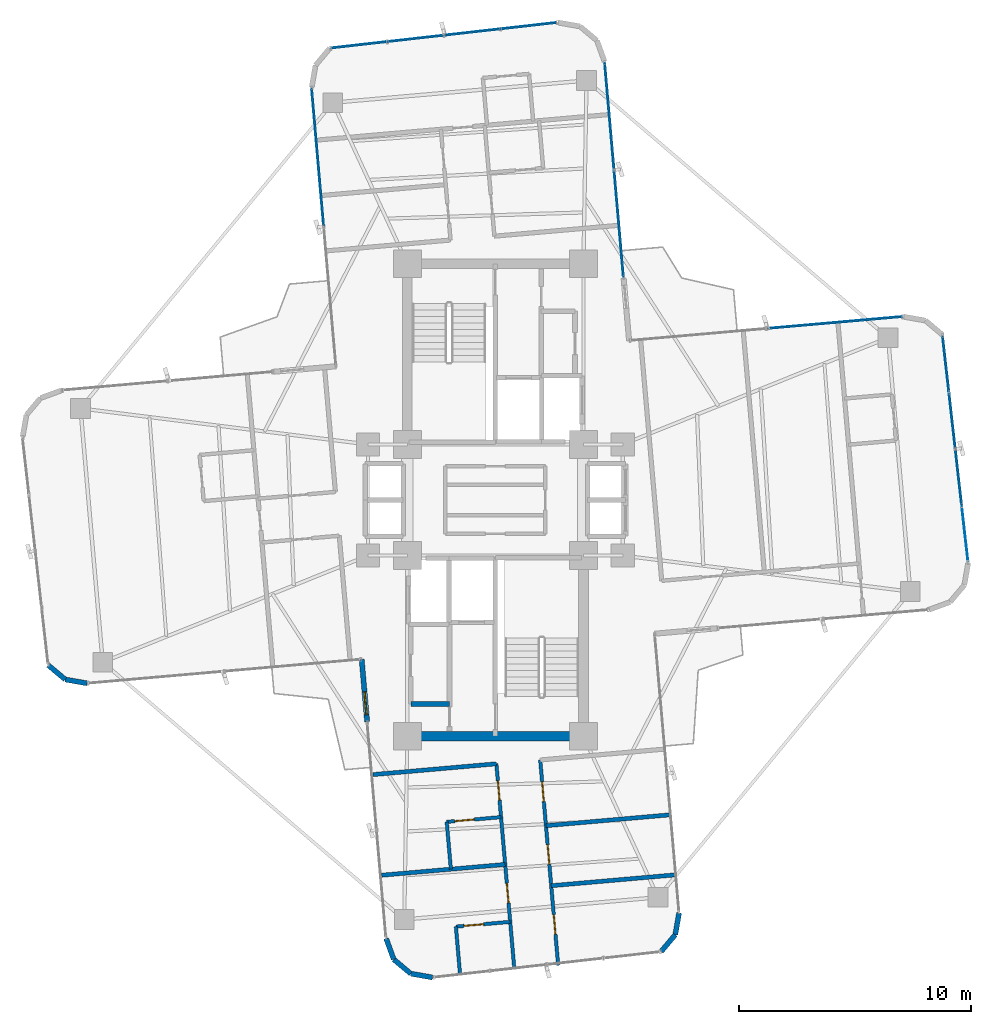
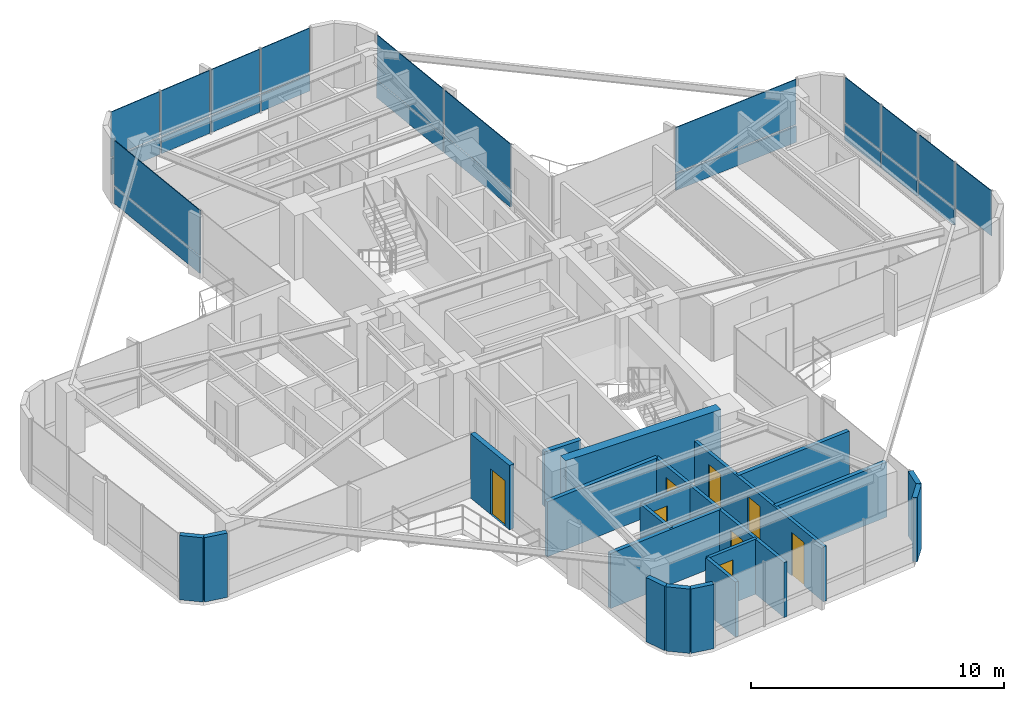
# One storey, part 20 of 24: 23 plates, 20 walls, 8 doors, 8 openings, 5 elements without a shape of their own.
"""IFC4 building model written with IfcOpenShell, lengths in metres."""

from ifc_helpers import new_model, si_unit, direction, frame, frame_2d, origin, origin_2d, place, context, subcontext, project, spatial, rectangle, extrude, source, transform, mapped, material, layer, layer_set, type_object, element, fill, aggregate, save


model = new_model("IFC4")

# Units and contexts
model_context = context("Model", 3, precision=1e-05, world=origin(), true_north=direction((0.0, 1.0)))
body_context = subcontext(model_context, "Body", "Model", "MODEL_VIEW")
ifc_project = project(units=[si_unit("LENGTHUNIT", "METRE"), si_unit("AREAUNIT", "SQUARE_METRE"), si_unit("VOLUMEUNIT", "CUBIC_METRE"), si_unit("PLANEANGLEUNIT", "RADIAN"), si_unit("MASSUNIT", "GRAM", prefix="KILO")], contexts=[model_context])

# Site, building, storey
site_placement = place(None, origin())
site = spatial("IfcSite", under=ifc_project, at=site_placement, CompositionType="ELEMENT")
building_placement = place(site_placement, origin())
building = spatial("IfcBuilding", under=site, at=building_placement, Name="Sahyath Konkavel Grand Hotel", CompositionType="ELEMENT")
storey_placement = place(building_placement, frame((0.0, 0.0, 157.300048828125)))
storey = spatial("IfcBuildingStorey", under=building, at=storey_placement, Name="L43", CompositionType="ELEMENT", Elevation=157.300048828125)

# Curtain wall, plates
ifc_material_1 = material(Name="Anodised Bronze Aluminium & Low-E Glazing", Category="aluminium")
curtain_wall_type = type_object("IfcCurtainWallType", Name="CW-ZONE3", PredefinedType="NOTDEFINED", material=ifc_material_1)
curtain_wall_1_placement = place(storey_placement, origin())
curtain_wall_1 = element("IfcCurtainWall", 1, at=curtain_wall_1_placement, inside=storey, type_object=curtain_wall_type, Name="L43 Unitised Curtain Wall F4", PredefinedType="NOTDEFINED")
ifc_material_2 = material(Name="Warm Buff Sandstone Cladding", Category="masonry")
ifc_layer_1 = layer(ifc_material_2, 0.074951171875)
ifc_layer_set_1 = layer_set([ifc_layer_1], Name="Warm Buff Sandstone Cladding")
plate_type_1 = type_object("IfcPlateType", Name="PNL-SPANDREL-STONE", PredefinedType="SHEET", material=ifc_layer_set_1)
shared_shape_1 = source(origin(), body_context, "Body", "SweptSolid", [
    extrude(rectangle(XDim=2.382080078125, YDim=0.074951171875, at=origin_2d()), origin(), (0.0, 0.0, 1.0), 0.77001953125),
])
plate_1_placement = place(storey_placement, frame((19.99755859375, 0.978515625, 0.0400390625), z_axis=(0.0, 0.0, 1.0), x_axis=(-0.111989252568, 0.993709417943, 0.0)))
plate_1 = element("IfcPlate", 2, at=plate_1_placement, type_object=plate_type_1, Name="L43 Sandstone Relief Spandrel Panel F4-1", PredefinedType="SHEET", context=body_context, shape_type="MappedRepresentation", body=[
    mapped(shared_shape_1, transform((0.0, 0.0, 0.0), scale=1.0)),
])
plate_2_placement = place(storey_placement, frame((19.7216796875, 3.425048828125, 0.0400390625), z_axis=(0.0, 0.0, 1.0), x_axis=(-0.111989252568, 0.993709417943, 0.0)))
plate_2 = element("IfcPlate", 3, at=plate_2_placement, type_object=plate_type_1, Name="L43 Sandstone Relief Spandrel Panel F4-2", PredefinedType="SHEET", context=body_context, shape_type="MappedRepresentation", body=[
    mapped(shared_shape_1, transform((0.0, 0.0, 0.0), scale=1.0)),
])
plate_3_placement = place(storey_placement, frame((19.446044921875, 5.87158203125, 0.0400390625), z_axis=(0.0, 0.0, 1.0), x_axis=(-0.111989252568, 0.993709417943, 0.0)))
plate_3 = element("IfcPlate", 4, at=plate_3_placement, type_object=plate_type_1, Name="L43 Sandstone Relief Spandrel Panel F4-3", PredefinedType="SHEET", context=body_context, shape_type="MappedRepresentation", body=[
    mapped(shared_shape_1, transform((0.0, 0.0, 0.0), scale=1.0)),
])

curtain_wall_2_placement = place(storey_placement, origin())
curtain_wall_2 = element("IfcCurtainWall", 5, at=curtain_wall_2_placement, inside=storey, type_object=curtain_wall_type, Name="L43 Unitised Curtain Wall F12", PredefinedType="NOTDEFINED")
plate_4_placement = place(storey_placement, frame((1.45068359375, 20.47265625, 0.0400390625), z_axis=(0.0, 0.0, 1.0), x_axis=(-0.993707463211, -0.112006596052, 0.0)))
plate_4 = element("IfcPlate", 6, at=plate_4_placement, type_object=plate_type_1, Name="L43 Sandstone Relief Spandrel Panel F12-0", PredefinedType="SHEET", context=body_context, shape_type="MappedRepresentation", body=[
    mapped(shared_shape_1, transform((0.0, 0.0, 0.0), scale=1.0)),
])
plate_5_placement = place(storey_placement, frame((-0.995849609375, 20.197021484375, 0.0400390625), z_axis=(0.0, 0.0, 1.0), x_axis=(-0.993707463211, -0.112006596052, 0.0)))
plate_5 = element("IfcPlate", 7, at=plate_5_placement, type_object=plate_type_1, Name="L43 Sandstone Relief Spandrel Panel F12-1", PredefinedType="SHEET", context=body_context, shape_type="MappedRepresentation", body=[
    mapped(shared_shape_1, transform((0.0, 0.0, 0.0), scale=1.0)),
])
plate_6_placement = place(storey_placement, frame((-3.4423828125, 19.921142578125, 0.0400390625), z_axis=(0.0, 0.0, 1.0), x_axis=(-0.993707463211, -0.112006596052, 0.0)))
plate_6 = element("IfcPlate", 8, at=plate_6_placement, type_object=plate_type_1, Name="L43 Sandstone Relief Spandrel Panel F12-2", PredefinedType="SHEET", context=body_context, shape_type="MappedRepresentation", body=[
    mapped(shared_shape_1, transform((0.0, 0.0, 0.0), scale=1.0)),
])
plate_7_placement = place(storey_placement, frame((-5.888916015625, 19.6455078125, 0.0400390625), z_axis=(0.0, 0.0, 1.0), x_axis=(-0.993707463211, -0.112006596052, 0.0)))
plate_7 = element("IfcPlate", 9, at=plate_7_placement, type_object=plate_type_1, Name="L43 Sandstone Relief Spandrel Panel F12-3", PredefinedType="SHEET", context=body_context, shape_type="MappedRepresentation", body=[
    mapped(shared_shape_1, transform((0.0, 0.0, 0.0), scale=1.0)),
])

# Curtain wall, plate
curtain_wall_3_placement = place(storey_placement, origin())
curtain_wall_3 = element("IfcCurtainWall", 10, at=curtain_wall_3_placement, inside=storey, type_object=curtain_wall_type, Name="L43 Unitised Curtain Wall F7", PredefinedType="NOTDEFINED")
shared_shape_2 = source(origin(), body_context, "Body", "SweptSolid", [
    extrude(rectangle(XDim=5.830078125, YDim=0.074951171875, at=origin_2d()), origin(), (0.0, 0.0, 1.0), 0.77001953125),
])
plate_8_placement = place(storey_placement, frame((14.6435546875, 7.655517578125, 0.0400390625), z_axis=(0.0, 0.0, 1.0), x_axis=(-0.996194698092, -0.087155742748, 0.0)))
plate_8 = element("IfcPlate", 11, at=plate_8_placement, type_object=plate_type_1, Name="L43 Sandstone Relief Spandrel Panel F7-0", PredefinedType="SHEET", context=body_context, shape_type="MappedRepresentation", body=[
    mapped(shared_shape_2, transform((0.0, 0.0, 0.0), scale=1.0)),
])

# Curtain wall, plates
curtain_wall_4_placement = place(storey_placement, origin())
curtain_wall_4 = element("IfcCurtainWall", 12, at=curtain_wall_4_placement, inside=storey, type_object=curtain_wall_type, Name="L43 Unitised Curtain Wall F8", PredefinedType="NOTDEFINED")
shared_shape_3 = source(origin(), body_context, "Body", "SweptSolid", [
    extrude(rectangle(XDim=4.580078125, YDim=0.074951171875, at=origin_2d()), origin(), (0.0, 0.0, 1.0), 0.77001953125),
])
plate_9_placement = place(storey_placement, frame((5.33056640625, 11.929931640625, 0.0400390625), z_axis=(0.0, 0.0, 1.0), x_axis=(-0.087155742748, 0.996194698092, 0.0)))
plate_9 = element("IfcPlate", 13, at=plate_9_placement, type_object=plate_type_1, Name="L43 Sandstone Relief Spandrel Panel F8-0", PredefinedType="SHEET", context=body_context, shape_type="MappedRepresentation", body=[
    mapped(shared_shape_3, transform((0.0, 0.0, 0.0), scale=1.0)),
])
plate_10_placement = place(storey_placement, frame((4.92431640625, 16.572265625, 0.0400390625), z_axis=(0.0, 0.0, 1.0), x_axis=(-0.087155742748, 0.996194698092, 0.0)))
plate_10 = element("IfcPlate", 14, at=plate_10_placement, type_object=plate_type_1, Name="L43 Sandstone Relief Spandrel Panel F8-1", PredefinedType="SHEET", context=body_context, shape_type="MappedRepresentation", body=[
    mapped(shared_shape_3, transform((0.0, 0.0, 0.0), scale=1.0)),
])

# Curtain wall, plate
curtain_wall_5_placement = place(storey_placement, origin())
curtain_wall_5 = element("IfcCurtainWall", 15, at=curtain_wall_5_placement, inside=storey, type_object=curtain_wall_type, Name="L43 Unitised Curtain Wall F15", PredefinedType="NOTDEFINED")
shared_shape_4 = source(origin(), body_context, "Body", "SweptSolid", [
    extrude(rectangle(XDim=5.929931640625, YDim=0.074951171875, at=origin_2d()), origin(), (0.0, 0.0, 1.0), 0.77001953125),
])
plate_11_placement = place(storey_placement, frame((-7.66845703125, 14.79296875, 0.0400390625), z_axis=(0.0, 0.0, 1.0), x_axis=(0.087155742748, -0.996194698092, 0.0)))
plate_11 = element("IfcPlate", 16, at=plate_11_placement, type_object=plate_type_1, Name="L43 Sandstone Relief Spandrel Panel F15-0", PredefinedType="SHEET", context=body_context, shape_type="MappedRepresentation", body=[
    mapped(shared_shape_4, transform((0.0, 0.0, 0.0), scale=1.0)),
])

# Plate
ifc_material_3 = material(Name="Low-E Solar Control Double Glazing", Category="glass")
ifc_layer_2 = layer(ifc_material_3, 0.035888671875)
ifc_layer_set_2 = layer_set([ifc_layer_2], Name="Low-E Solar Control Double Glazing")
plate_type_2 = type_object("IfcPlateType", Name="PNL-VISION-LOWE", PredefinedType="CURTAIN_PANEL", material=ifc_layer_set_2)
shared_shape_5 = source(origin(), body_context, "Body", "SweptSolid", [
    extrude(rectangle(XDim=2.382080078125, YDim=0.035888671875, at=origin_2d()), origin(), (0.0, 0.0, 1.0), 2.179931640625),
])
plate_12_placement = place(storey_placement, frame((20.2734375, -1.468017578125, 0.89013671875), z_axis=(0.0, 0.0, 1.0), x_axis=(-0.111989252568, 0.993709417943, 0.0)))
plate_12 = element("IfcPlate", 17, at=plate_12_placement, type_object=plate_type_2, Name="L43 Low-E Vision Glazing Panel F4-0", PredefinedType="CURTAIN_PANEL", context=body_context, shape_type="MappedRepresentation", body=[
    mapped(shared_shape_5, transform((0.0, 0.0, 0.0), scale=1.0)),
])

plate_13_placement = place(storey_placement, frame((19.99755859375, 0.978515625, 0.89013671875), z_axis=(0.0, 0.0, 1.0), x_axis=(-0.111989252568, 0.993709417943, 0.0)))
plate_13 = element("IfcPlate", 18, at=plate_13_placement, type_object=plate_type_2, Name="L43 Low-E Vision Glazing Panel F4-1", PredefinedType="CURTAIN_PANEL", context=body_context, shape_type="MappedRepresentation", body=[
    mapped(shared_shape_5, transform((0.0, 0.0, 0.0), scale=1.0)),
])

plate_14_placement = place(storey_placement, frame((19.7216796875, 3.425048828125, 0.89013671875), z_axis=(0.0, 0.0, 1.0), x_axis=(-0.111989252568, 0.993709417943, 0.0)))
plate_14 = element("IfcPlate", 19, at=plate_14_placement, type_object=plate_type_2, Name="L43 Low-E Vision Glazing Panel F4-2", PredefinedType="CURTAIN_PANEL", context=body_context, shape_type="MappedRepresentation", body=[
    mapped(shared_shape_5, transform((0.0, 0.0, 0.0), scale=1.0)),
])

plate_15_placement = place(storey_placement, frame((19.446044921875, 5.87158203125, 0.89013671875), z_axis=(0.0, 0.0, 1.0), x_axis=(-0.111989252568, 0.993709417943, 0.0)))
plate_15 = element("IfcPlate", 20, at=plate_15_placement, type_object=plate_type_2, Name="L43 Low-E Vision Glazing Panel F4-3", PredefinedType="CURTAIN_PANEL", context=body_context, shape_type="MappedRepresentation", body=[
    mapped(shared_shape_5, transform((0.0, 0.0, 0.0), scale=1.0)),
])

aggregate(curtain_wall_1, [plate_12, plate_1, plate_13, plate_2, plate_14, plate_3, plate_15])

plate_16_placement = place(storey_placement, frame((1.45068359375, 20.47265625, 0.89013671875), z_axis=(0.0, 0.0, 1.0), x_axis=(-0.993707463211, -0.112006596052, 0.0)))
plate_16 = element("IfcPlate", 21, at=plate_16_placement, type_object=plate_type_2, Name="L43 Low-E Vision Glazing Panel F12-0", PredefinedType="CURTAIN_PANEL", context=body_context, shape_type="MappedRepresentation", body=[
    mapped(shared_shape_5, transform((0.0, 0.0, 0.0), scale=1.0)),
])

plate_17_placement = place(storey_placement, frame((-0.995849609375, 20.197021484375, 0.89013671875), z_axis=(0.0, 0.0, 1.0), x_axis=(-0.993707463211, -0.112006596052, 0.0)))
plate_17 = element("IfcPlate", 22, at=plate_17_placement, type_object=plate_type_2, Name="L43 Low-E Vision Glazing Panel F12-1", PredefinedType="CURTAIN_PANEL", context=body_context, shape_type="MappedRepresentation", body=[
    mapped(shared_shape_5, transform((0.0, 0.0, 0.0), scale=1.0)),
])

plate_18_placement = place(storey_placement, frame((-3.4423828125, 19.921142578125, 0.89013671875), z_axis=(0.0, 0.0, 1.0), x_axis=(-0.993707463211, -0.112006596052, 0.0)))
plate_18 = element("IfcPlate", 23, at=plate_18_placement, type_object=plate_type_2, Name="L43 Low-E Vision Glazing Panel F12-2", PredefinedType="CURTAIN_PANEL", context=body_context, shape_type="MappedRepresentation", body=[
    mapped(shared_shape_5, transform((0.0, 0.0, 0.0), scale=1.0)),
])

plate_19_placement = place(storey_placement, frame((-5.888916015625, 19.6455078125, 0.89013671875), z_axis=(0.0, 0.0, 1.0), x_axis=(-0.993707463211, -0.112006596052, 0.0)))
plate_19 = element("IfcPlate", 24, at=plate_19_placement, type_object=plate_type_2, Name="L43 Low-E Vision Glazing Panel F12-3", PredefinedType="CURTAIN_PANEL", context=body_context, shape_type="MappedRepresentation", body=[
    mapped(shared_shape_5, transform((0.0, 0.0, 0.0), scale=1.0)),
])

aggregate(curtain_wall_2, [plate_4, plate_16, plate_5, plate_17, plate_6, plate_18, plate_7, plate_19])

shared_shape_6 = source(origin(), body_context, "Body", "SweptSolid", [
    extrude(rectangle(XDim=5.830078125, YDim=0.035888671875, at=origin_2d()), origin(), (0.0, 0.0, 1.0), 2.179931640625),
])
plate_20_placement = place(storey_placement, frame((14.6435546875, 7.655517578125, 0.89013671875), z_axis=(0.0, 0.0, 1.0), x_axis=(-0.996194698092, -0.087155742748, 0.0)))
plate_20 = element("IfcPlate", 25, at=plate_20_placement, type_object=plate_type_2, Name="L43 Low-E Vision Glazing Panel F7-0", PredefinedType="CURTAIN_PANEL", context=body_context, shape_type="MappedRepresentation", body=[
    mapped(shared_shape_6, transform((0.0, 0.0, 0.0), scale=1.0)),
])

aggregate(curtain_wall_3, [plate_8, plate_20])

shared_shape_7 = source(origin(), body_context, "Body", "SweptSolid", [
    extrude(rectangle(XDim=4.580078125, YDim=0.035888671875, at=origin_2d()), origin(), (0.0, 0.0, 1.0), 2.179931640625),
])
plate_21_placement = place(storey_placement, frame((5.33056640625, 11.929931640625, 0.89013671875), z_axis=(0.0, 0.0, 1.0), x_axis=(-0.087155742748, 0.996194698092, 0.0)))
plate_21 = element("IfcPlate", 26, at=plate_21_placement, type_object=plate_type_2, Name="L43 Low-E Vision Glazing Panel F8-0", PredefinedType="CURTAIN_PANEL", context=body_context, shape_type="MappedRepresentation", body=[
    mapped(shared_shape_7, transform((0.0, 0.0, 0.0), scale=1.0)),
])

plate_22_placement = place(storey_placement, frame((4.92431640625, 16.572265625, 0.89013671875), z_axis=(0.0, 0.0, 1.0), x_axis=(-0.087155742748, 0.996194698092, 0.0)))
plate_22 = element("IfcPlate", 27, at=plate_22_placement, type_object=plate_type_2, Name="L43 Low-E Vision Glazing Panel F8-1", PredefinedType="CURTAIN_PANEL", context=body_context, shape_type="MappedRepresentation", body=[
    mapped(shared_shape_7, transform((0.0, 0.0, 0.0), scale=1.0)),
])

aggregate(curtain_wall_4, [plate_9, plate_21, plate_10, plate_22])

shared_shape_8 = source(origin(), body_context, "Body", "SweptSolid", [
    extrude(rectangle(XDim=5.929931640625, YDim=0.035888671875, at=origin_2d()), origin(), (0.0, 0.0, 1.0), 2.179931640625),
])
plate_23_placement = place(storey_placement, frame((-7.66845703125, 14.79296875, 0.89013671875), z_axis=(0.0, 0.0, 1.0), x_axis=(0.087155742748, -0.996194698092, 0.0)))
plate_23 = element("IfcPlate", 28, at=plate_23_placement, type_object=plate_type_2, Name="L43 Low-E Vision Glazing Panel F15-0", PredefinedType="CURTAIN_PANEL", context=body_context, shape_type="MappedRepresentation", body=[
    mapped(shared_shape_8, transform((0.0, 0.0, 0.0), scale=1.0)),
])

aggregate(curtain_wall_5, [plate_11, plate_23])

# Walls
ifc_material_4 = material(Name="Concrete C50/60", Category="concrete")
ifc_layer_3 = layer(ifc_material_4, 0.419921875)
ifc_layer_set_3 = layer_set([ifc_layer_3], Name="Concrete C50/60")
wall_type_1 = type_object("IfcWallType", Name="CWALL-420", PredefinedType="SHEAR", material=ifc_layer_set_3)
wall_1_placement = place(storey_placement, frame((-3.550048828125, -10.199951171875, 0.0), z_axis=(0.0, 0.0, 1.0), x_axis=(1.0, 0.0, 0.0)))
element("IfcWall", 29, at=wall_1_placement, inside=storey, type_object=wall_type_1, Name="L43 South Core Shear Wall S", PredefinedType="SHEAR", context=body_context, shape_type="SweptSolid", body=[
    extrude(rectangle(XDim=7.10009765625, YDim=0.419921875, at=frame_2d((3.550048828125, 0.0))), origin(), (0.0, 0.0, 1.0), 3.10986328125),
])
ifc_material_5 = material(Name="Warm Buff Sandstone Insulated Concrete C40/50", Category="masonry")
ifc_layer_4 = layer(ifc_material_5, 0.219970703125)
ifc_layer_set_4 = layer_set([ifc_layer_4], Name="Warm Buff Sandstone Insulated Concrete C40/50")
wall_type_2 = type_object("IfcWallType", Name="WLL-BALC-THRESH", PredefinedType="STANDARD", material=ifc_layer_set_4)
wall_2_placement = place(storey_placement, frame((-19.3037109375, -7.134521484375, 0.0), z_axis=(0.0, 0.0, 1.0), x_axis=(0.766001159887, -0.642839189107, 0.0)))
element("IfcWall", 30, at=wall_2_placement, inside=storey, type_object=wall_type_2, Name="L43 Rounded Corner Sandstone Pier 21", PredefinedType="STANDARD", context=body_context, shape_type="SweptSolid", body=[
    extrude(rectangle(XDim=0.95751953125, YDim=0.219970703125, at=frame_2d((0.478759765625, 0.0))), origin(), (0.0, 0.0, 1.0), 3.10986328125),
])
wall_3_placement = place(storey_placement, frame((-18.5703125, -7.75, 0.0), z_axis=(0.0, 0.0, 1.0), x_axis=(0.984770724397, -0.173858046606, 0.0)))
element("IfcWall", 31, at=wall_3_placement, inside=storey, type_object=wall_type_2, Name="L43 Rounded Corner Sandstone Pier 22", PredefinedType="STANDARD", context=body_context, shape_type="SweptSolid", body=[
    extrude(rectangle(XDim=0.957763671875, YDim=0.219970703125, at=frame_2d((0.47900390625, 0.0))), origin(), (0.0, 0.0, 1.0), 3.10986328125),
])

# Wall, opening, door
wall_4_placement = place(storey_placement, frame((-5.7724609375, -6.87939453125, 0.0), z_axis=(0.0, 0.0, 1.0), x_axis=(0.087168071984, -0.996193619346, 0.0)))
wall_4 = element("IfcWall", 32, at=wall_4_placement, inside=storey, type_object=wall_type_2, Name="L43 Winter-Garden Threshold Wall 24", PredefinedType="STANDARD", context=body_context, shape_type="SweptSolid", body=[
    extrude(rectangle(XDim=2.699951171875, YDim=0.219970703125, at=frame_2d((1.35009765625, 0.0))), origin(), (0.0, 0.0, 1.0), 3.10986328125),
])
opening_1_placement = place(wall_4_placement, frame((1.39990234375, 0.0, 0.0)))
opening_1 = element("IfcOpeningElement", 33, at=opening_1_placement, cuts=wall_4, Name="Opening D-TR1", PredefinedType="OPENING", context=body_context, shape_type="SweptSolid", body=[
    extrude(rectangle(XDim=1.0, YDim=2.199951171875, at=frame_2d((0.5, 1.10009765625))), frame((0.0, 0.1201171875, 0.0), z_axis=(0.0, -1.0, 0.0), x_axis=(1.0, 0.0, 0.0)), (0.0, 0.0, 1.0), 0.239990234375),
])
door_type_1 = type_object("IfcDoorType", Name="DR-TERRACE-1000", OperationType="NOTDEFINED", PredefinedType="DOOR", material=ifc_material_1)
shared_shape_9 = source(origin(), body_context, "Body", "SweptSolid", [
    extrude(rectangle(XDim=1.0, YDim=0.050048828125, at=origin_2d()), origin(), (0.0, 0.0, 1.0), 2.199951171875),
])
door_1_placement = place(opening_1_placement, frame((0.5, 0.0, 0.0)))
door_1 = element("IfcDoor", 34, at=door_1_placement, inside=storey, type_object=door_type_1, Name="L43 Winter-Garden Terrace Door 24", OperationType="SINGLE_SWING_LEFT", OverallHeight=2.199951171875, OverallWidth=1.0, PredefinedType="DOOR", context=body_context, shape_type="MappedRepresentation", body=[
    mapped(shared_shape_9, transform((0.0, 0.0, 0.0), scale=1.0)),
])
fill(opening_1, door_1)

# Walls
wall_5_placement = place(storey_placement, frame((-4.7177734375, -18.93310546875, 0.0), z_axis=(0.0, 0.0, 1.0), x_axis=(0.34188635151, -0.939741306239, 0.0)))
element("IfcWall", 35, at=wall_5_placement, inside=storey, type_object=wall_type_2, Name="L43 Rounded Corner Sandstone Pier 25", PredefinedType="STANDARD", context=body_context, shape_type="SweptSolid", body=[
    extrude(rectangle(XDim=0.95751953125, YDim=0.219970703125, at=frame_2d((0.478759765625, 0.0))), origin(), (0.0, 0.0, 1.0), 3.10986328125),
])
for number, where, z_axis, x_axis, name in (
    (36, (-4.390380859375, -19.8330078125, 0.0), (0.0, 0.0, 1.0), (0.765980978054, -0.642863236823, 0.0), "L43 Rounded Corner Sandstone Pier 26"),
    (37, (-3.65673828125, -20.44873046875, 0.0), (0.0, 0.0, 1.0), (0.984814340885, -0.173610811841, 0.0), "L43 Rounded Corner Sandstone Pier 27"),
):
    element("IfcWall", number, at=place(storey_placement, frame(where, z_axis=z_axis, x_axis=x_axis)), inside=storey, type_object=wall_type_2, Name=name, PredefinedType="STANDARD", context=body_context, shape_type="SweptSolid", body=[
        extrude(rectangle(XDim=0.957763671875, YDim=0.219970703125, at=frame_2d((0.47900390625, 0.0))), origin(), (0.0, 0.0, 1.0), 3.10986328125),
    ])
for number, where, z_axis, x_axis, name in (
    (38, (7.152099609375, -19.5029296875, 0.0), (0.0, 0.0, 1.0), (0.642713642115, 0.766106503196, 0.0), "L43 Rounded Corner Sandstone Pier 29"),
    (39, (7.767578125, -18.769287109375, 0.0), (0.0, 0.0, 1.0), (0.173654409999, 0.984806654064, 0.0), "L43 Rounded Corner Sandstone Pier 30"),
):
    element("IfcWall", number, at=place(storey_placement, frame(where, z_axis=z_axis, x_axis=x_axis)), inside=storey, type_object=wall_type_2, Name=name, PredefinedType="STANDARD", context=body_context, shape_type="SweptSolid", body=[
        extrude(rectangle(XDim=0.95751953125, YDim=0.219970703125, at=frame_2d((0.478759765625, 0.0))), origin(), (0.0, 0.0, 1.0), 3.10986328125),
    ])
ifc_material_6 = material(Name="Concrete C40/50", Category="concrete")
ifc_layer_5 = layer(ifc_material_6, 0.199951171875)
ifc_layer_set_5 = layer_set([ifc_layer_5], Name="Concrete C40/50")
wall_type_3 = type_object("IfcWallType", Name="WLL-CORE-200", PredefinedType="SOLIDWALL", material=ifc_layer_set_5)
wall_6_placement = place(storey_placement, frame((-3.64990234375, -8.81005859375, 0.0), z_axis=(0.0, 0.0, 1.0), x_axis=(1.0, 0.0, 0.0)))
element("IfcWall", 40, at=wall_6_placement, inside=storey, type_object=wall_type_3, Name="L43 Partition SC-REC-S", PredefinedType="SOLIDWALL", context=body_context, shape_type="SweptSolid", body=[
    extrude(rectangle(XDim=1.669921875, YDim=0.199951171875, at=frame_2d((0.8349609375, 0.0))), origin(), (0.0, 0.0, 1.0), 2.659912109375),
])
ifc_material_7 = material(Name="Twin-Stud Acoustic Gypsum Plasterboard Partition")
ifc_layer_6 = layer(ifc_material_7, 0.179931640625)
ifc_layer_set_6 = layer_set([ifc_layer_6], Name="Twin-Stud Acoustic Gypsum Plasterboard Partition")
wall_type_4 = type_object("IfcWallType", Name="WLL-DEMISE-180", PredefinedType="PARTITIONING", material=ifc_layer_set_6)
for number, where, z_axis, x_axis, name in (
    (41, (-5.286865234375, -11.85595703125, 0.0), (0.0, 0.0, 1.0), (0.996194212812, 0.087161289348, 0.0), "L43 Partition S-INR"),
    (42, (2.183837890625, -14.061279296875, 0.0), (0.0, 0.0, 1.0), (0.996194212812, 0.087161289348, 0.0), "L43 Partition S-S1L-DEM"),
    (43, (2.41064453125, -16.6533203125, 0.0), (0.0, 0.0, 1.0), (0.996194212812, 0.087161289348, 0.0), "L43 Partition S-S2L-DEM"),
    (44, (0.4228515625, -15.73388671875, 0.0), (0.0, 0.0, 1.0), (-0.996194212812, -0.087161289348, 0.0), "L43 Partition S-S1R-DEM"),
):
    element("IfcWall", number, at=place(storey_placement, frame(where, z_axis=z_axis, x_axis=x_axis)), inside=storey, type_object=wall_type_4, Name=name, PredefinedType="PARTITIONING", context=body_context, shape_type="SweptSolid", body=[
        extrude(rectangle(XDim=5.349853515625, YDim=0.179931640625, at=frame_2d((2.6748046875, 0.0))), origin(), (0.0, 0.0, 1.0), 2.659912109375),
    ])

# Wall, openings, doors
ifc_material_8 = material(Name="Fire-Rated Gypsum Plasterboard Partition")
ifc_layer_7 = layer(ifc_material_8, 0.14990234375)
ifc_layer_set_7 = layer_set([ifc_layer_7], Name="Fire-Rated Gypsum Plasterboard Partition")
wall_type_5 = type_object("IfcWallType", Name="WLL-PART-150", PredefinedType="PARTITIONING", material=ifc_layer_set_7)
wall_7_placement = place(storey_placement, frame((1.935546875, -11.22412109375, 0.0), z_axis=(0.0, 0.0, 1.0), x_axis=(0.087151636982, -0.996195057291, 0.0)))
wall_7 = element("IfcWall", 45, at=wall_7_placement, inside=storey, type_object=wall_type_5, Name="L43 Partition S-CL", PredefinedType="PARTITIONING", context=body_context, shape_type="SweptSolid", body=[
    extrude(rectangle(XDim=8.89990234375, YDim=0.14990234375, at=frame_2d((4.449951171875, 0.0))), origin(), (0.0, 0.0, 1.0), 2.659912109375),
])
opening_2_placement = place(wall_7_placement, frame((0.948974609375, 0.0, 0.0)))
opening_2 = element("IfcOpeningElement", 46, at=opening_2_placement, cuts=wall_7, Name="Opening D-F06D", PredefinedType="OPENING", context=body_context, shape_type="SweptSolid", body=[
    extrude(rectangle(XDim=0.85009765625, YDim=2.10009765625, at=frame_2d((0.425048828125, 1.050048828125))), frame((0.0, 0.0849609375, 0.0), z_axis=(0.0, -1.0, 0.0), x_axis=(1.0, 0.0, 0.0)), (0.0, 0.0, 1.0), 0.169921875),
])
opening_3_placement = place(wall_7_placement, frame((3.674072265625, 0.0, 0.0)))
opening_3 = element("IfcOpeningElement", 47, at=opening_3_placement, cuts=wall_7, Name="Opening D-F06D", PredefinedType="OPENING", context=body_context, shape_type="SweptSolid", body=[
    extrude(rectangle(XDim=0.85009765625, YDim=2.10009765625, at=frame_2d((0.425048828125, 1.050048828125))), frame((0.0, 0.0849609375, 0.0), z_axis=(0.0, -1.0, 0.0), x_axis=(1.0, 0.0, 0.0)), (0.0, 0.0, 1.0), 0.169921875),
])
opening_4_placement = place(wall_7_placement, frame((6.699951171875, 0.0, 0.0)))
opening_4 = element("IfcOpeningElement", 48, at=opening_4_placement, cuts=wall_7, Name="Opening D-F06D", PredefinedType="OPENING", context=body_context, shape_type="SweptSolid", body=[
    extrude(rectangle(XDim=0.85009765625, YDim=2.10009765625, at=frame_2d((0.425048828125, 1.050048828125))), frame((0.0, 0.0849609375, 0.0), z_axis=(0.0, -1.0, 0.0), x_axis=(1.0, 0.0, 0.0)), (0.0, 0.0, 1.0), 0.169921875),
])
ifc_material_9 = material(Name="Fire-Rated Shaft Access Door")
door_type_2 = type_object("IfcDoorType", Name="DR-FD60-850", OperationType="NOTDEFINED", PredefinedType="DOOR", material=ifc_material_9)
shared_shape_10 = source(origin(), body_context, "Body", "SweptSolid", [
    extrude(rectangle(XDim=0.85009765625, YDim=0.050048828125, at=origin_2d()), origin(), (0.0, 0.0, 1.0), 2.10009765625),
])
door_2_placement = place(opening_2_placement, frame((0.425048828125, 0.0, 0.0)))
door_2 = element("IfcDoor", 49, at=door_2_placement, inside=storey, type_object=door_type_2, Name="L43 Door S-S1L-D", OperationType="SINGLE_SWING_RIGHT", OverallHeight=2.10009765625, OverallWidth=0.85009765625, PredefinedType="DOOR", context=body_context, shape_type="MappedRepresentation", body=[
    mapped(shared_shape_10, transform((0.0, 0.0, 0.0), scale=1.0)),
])
fill(opening_2, door_2)
door_3_placement = place(opening_3_placement, frame((0.425048828125, 0.0, 0.0)))
door_3 = element("IfcDoor", 50, at=door_3_placement, inside=storey, type_object=door_type_2, Name="L43 Door S-S2L-D", OperationType="SINGLE_SWING_LEFT", OverallHeight=2.10009765625, OverallWidth=0.85009765625, PredefinedType="DOOR", context=body_context, shape_type="MappedRepresentation", body=[
    mapped(shared_shape_10, transform((0.0, 0.0, 0.0), scale=1.0)),
])
fill(opening_3, door_3)
door_4_placement = place(opening_4_placement, frame((0.425048828125, 0.0, 0.0)))
door_4 = element("IfcDoor", 51, at=door_4_placement, inside=storey, type_object=door_type_2, Name="L43 Door S-S3L-D", OperationType="SINGLE_SWING_RIGHT", OverallHeight=2.10009765625, OverallWidth=0.85009765625, PredefinedType="DOOR", context=body_context, shape_type="MappedRepresentation", body=[
    mapped(shared_shape_10, transform((0.0, 0.0, 0.0), scale=1.0)),
])
fill(opening_4, door_4)

wall_8_placement = place(storey_placement, frame((0.042724609375, -11.3896484375, 0.0), z_axis=(0.0, 0.0, 1.0), x_axis=(0.087178860582, -0.996192675273, 0.0)))
wall_8 = element("IfcWall", 52, at=wall_8_placement, inside=storey, type_object=wall_type_5, Name="L43 Partition S-CR", PredefinedType="PARTITIONING", context=body_context, shape_type="SweptSolid", body=[
    extrude(rectangle(XDim=8.89990234375, YDim=0.14990234375, at=frame_2d((4.449951171875, 0.0))), origin(), (0.0, 0.0, 1.0), 2.659912109375),
])
opening_5_placement = place(wall_8_placement, frame((0.72998046875, 0.0, 0.0)))
opening_5 = element("IfcOpeningElement", 53, at=opening_5_placement, cuts=wall_8, Name="Opening D-F06D", PredefinedType="OPENING", context=body_context, shape_type="SweptSolid", body=[
    extrude(rectangle(XDim=0.85009765625, YDim=2.10009765625, at=frame_2d((0.425048828125, 1.050048828125))), frame((0.0, 0.0849609375, 0.0), z_axis=(0.0, -1.0, 0.0), x_axis=(1.0, 0.0, 0.0)), (0.0, 0.0, 1.0), 0.169921875),
])
opening_6_placement = place(wall_8_placement, frame((5.180908203125, 0.0, 0.0)))
opening_6 = element("IfcOpeningElement", 54, at=opening_6_placement, cuts=wall_8, Name="Opening D-F06D", PredefinedType="OPENING", context=body_context, shape_type="SweptSolid", body=[
    extrude(rectangle(XDim=0.85009765625, YDim=2.10009765625, at=frame_2d((0.425048828125, 1.050048828125))), frame((0.0, 0.0849609375, 0.0), z_axis=(0.0, -1.0, 0.0), x_axis=(1.0, 0.0, 0.0)), (0.0, 0.0, 1.0), 0.169921875),
])
door_5_placement = place(opening_5_placement, frame((0.425048828125, 0.0, 0.0)))
door_5 = element("IfcDoor", 55, at=door_5_placement, inside=storey, type_object=door_type_2, Name="L43 Door S-S1R-ED", OperationType="SINGLE_SWING_RIGHT", OverallHeight=2.10009765625, OverallWidth=0.85009765625, PredefinedType="DOOR", context=body_context, shape_type="MappedRepresentation", body=[
    mapped(shared_shape_10, transform((0.0, 0.0, 0.0), scale=1.0)),
])
fill(opening_5, door_5)
door_6_placement = place(opening_6_placement, frame((0.425048828125, 0.0, 0.0)))
door_6 = element("IfcDoor", 56, at=door_6_placement, inside=storey, type_object=door_type_2, Name="L43 Door S-S2R-ED", OperationType="SINGLE_SWING_RIGHT", OverallHeight=2.10009765625, OverallWidth=0.85009765625, PredefinedType="DOOR", context=body_context, shape_type="MappedRepresentation", body=[
    mapped(shared_shape_10, transform((0.0, 0.0, 0.0), scale=1.0)),
])
fill(opening_6, door_6)

# Wall, opening, door
wall_9_placement = place(storey_placement, frame((0.244140625, -13.69189453125, 0.0), z_axis=(0.0, 0.0, 1.0), x_axis=(-0.996197656711, -0.087121918963, 0.0)))
wall_9 = element("IfcWall", 57, at=wall_9_placement, inside=storey, type_object=wall_type_5, Name="L43 Partition S-S1R-BS", PredefinedType="PARTITIONING", context=body_context, shape_type="SweptSolid", body=[
    extrude(rectangle(XDim=2.35400390625, YDim=0.14990234375, at=frame_2d((1.177001953125, 0.0))), origin(), (0.0, 0.0, 1.0), 2.659912109375),
])
opening_7_placement = place(wall_9_placement, frame((1.154052734375, 0.0, 0.0)))
opening_7 = element("IfcOpeningElement", 58, at=opening_7_placement, cuts=wall_9, Name="Opening D-BT85", PredefinedType="OPENING", context=body_context, shape_type="SweptSolid", body=[
    extrude(rectangle(XDim=0.85009765625, YDim=2.10009765625, at=frame_2d((0.425048828125, 1.050048828125))), frame((0.0, 0.0849609375, 0.0), z_axis=(0.0, -1.0, 0.0), x_axis=(1.0, 0.0, 0.0)), (0.0, 0.0, 1.0), 0.169921875),
])
ifc_material_10 = material(Name="Moisture-Resistant Teak Bathroom Door")
door_type_3 = type_object("IfcDoorType", Name="DR-BATH-850", OperationType="NOTDEFINED", PredefinedType="DOOR", material=ifc_material_10)
door_7_placement = place(opening_7_placement, frame((0.425048828125, 0.0, 0.0)))
door_7 = element("IfcDoor", 59, at=door_7_placement, inside=storey, type_object=door_type_3, Name="L43 Door S-S1R-BD", OperationType="SINGLE_SWING_LEFT", OverallHeight=2.10009765625, OverallWidth=0.85009765625, PredefinedType="DOOR", context=body_context, shape_type="MappedRepresentation", body=[
    mapped(shared_shape_10, transform((0.0, 0.0, 0.0), scale=1.0)),
])
fill(opening_7, door_7)

# Wall
wall_10_placement = place(storey_placement, frame((-2.100830078125, -13.89697265625, 0.0), z_axis=(0.0, 0.0, 1.0), x_axis=(0.087174336889, -0.99619307114, 0.0)))
element("IfcWall", 60, at=wall_10_placement, inside=storey, type_object=wall_type_5, Name="L43 Partition S-S1R-BF", PredefinedType="PARTITIONING", context=body_context, shape_type="SweptSolid", body=[
    extrude(rectangle(XDim=2.050048828125, YDim=0.14990234375, at=frame_2d((1.02490234375, 0.0))), origin(), (0.0, 0.0, 1.0), 2.659912109375),
])

# Wall, opening, door
wall_11_placement = place(storey_placement, frame((0.639892578125, -18.21337890625, 0.0), z_axis=(0.0, 0.0, 1.0), x_axis=(-0.996188649846, -0.087224846905, 0.0)))
wall_11 = element("IfcWall", 61, at=wall_11_placement, inside=storey, type_object=wall_type_5, Name="L43 Partition S-S2R-BS", PredefinedType="PARTITIONING", context=body_context, shape_type="SweptSolid", body=[
    extrude(rectangle(XDim=2.35400390625, YDim=0.14990234375, at=frame_2d((1.177001953125, 0.0))), origin(), (0.0, 0.0, 1.0), 2.659912109375),
])
opening_8_placement = place(wall_11_placement, frame((1.154052734375, 0.0, 0.0)))
opening_8 = element("IfcOpeningElement", 62, at=opening_8_placement, cuts=wall_11, Name="Opening D-BT85", PredefinedType="OPENING", context=body_context, shape_type="SweptSolid", body=[
    extrude(rectangle(XDim=0.85009765625, YDim=2.10009765625, at=frame_2d((0.425048828125, 1.050048828125))), frame((0.0, 0.0849609375, 0.0), z_axis=(0.0, -1.0, 0.0), x_axis=(1.0, 0.0, 0.0)), (0.0, 0.0, 1.0), 0.169921875),
])
door_8_placement = place(opening_8_placement, frame((0.425048828125, 0.0, 0.0)))
door_8 = element("IfcDoor", 63, at=door_8_placement, inside=storey, type_object=door_type_3, Name="L43 Door S-S2R-BD", OperationType="SINGLE_SWING_LEFT", OverallHeight=2.10009765625, OverallWidth=0.85009765625, PredefinedType="DOOR", context=body_context, shape_type="MappedRepresentation", body=[
    mapped(shared_shape_10, transform((0.0, 0.0, 0.0), scale=1.0)),
])
fill(opening_8, door_8)

# Wall
wall_12_placement = place(storey_placement, frame((-1.705078125, -18.418701171875, 0.0), z_axis=(0.0, 0.0, 1.0), x_axis=(0.087056149438, -0.996203406361, 0.0)))
element("IfcWall", 64, at=wall_12_placement, inside=storey, type_object=wall_type_5, Name="L43 Partition S-S2R-BF", PredefinedType="PARTITIONING", context=body_context, shape_type="SweptSolid", body=[
    extrude(rectangle(XDim=2.050048828125, YDim=0.14990234375, at=frame_2d((1.02490234375, 0.0))), origin(), (0.0, 0.0, 1.0), 2.659912109375),
])

save(model, "model.ifc")
